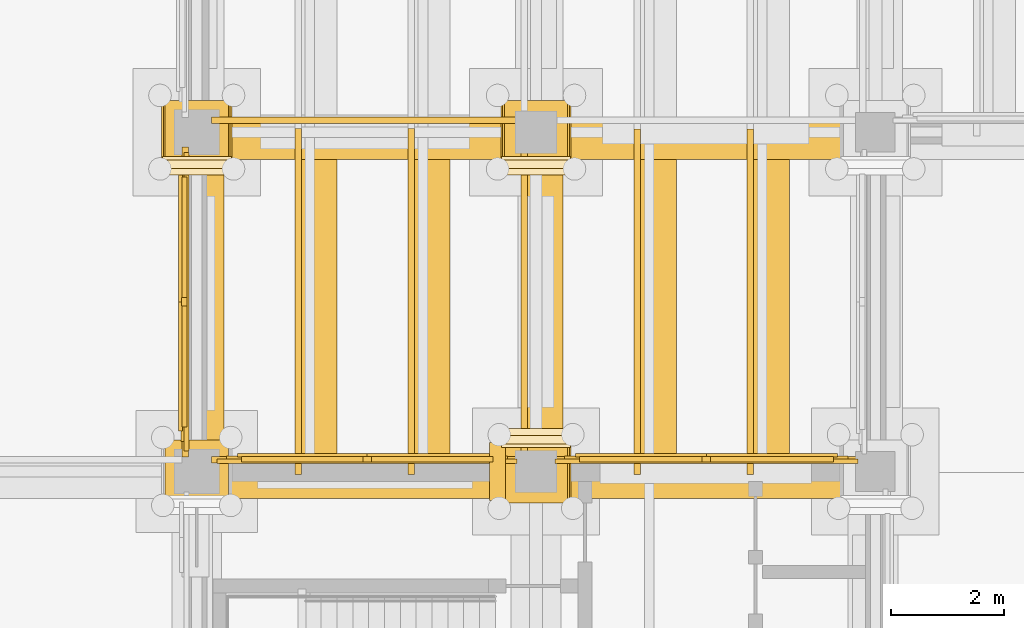
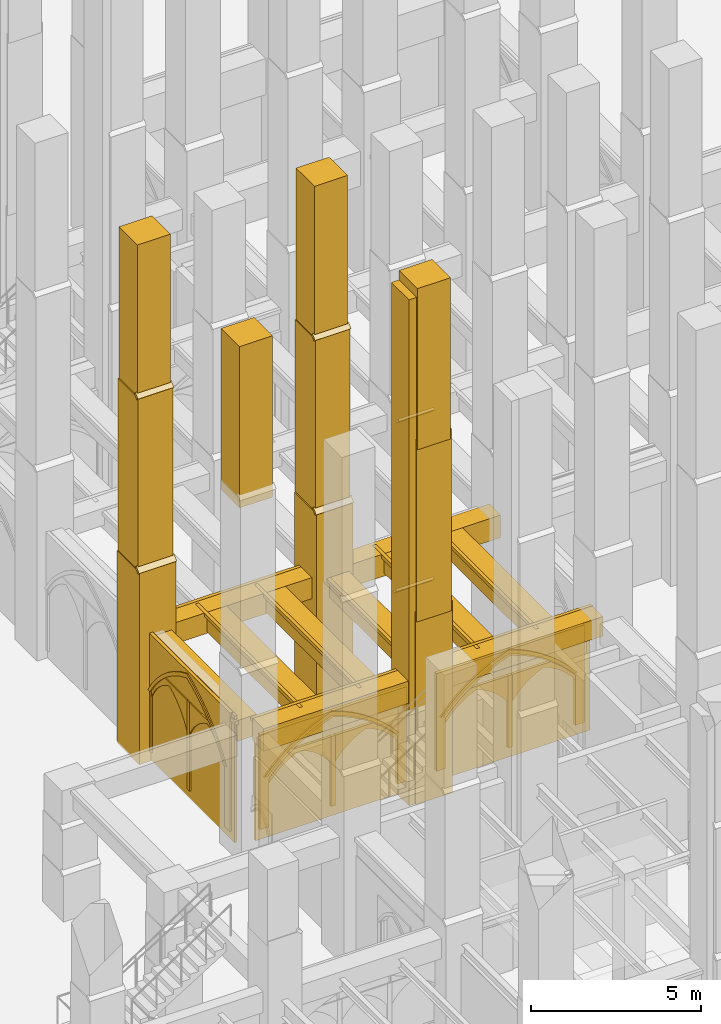
# One storey, part 107 of 135: 54 coverings.
"""IFC4 building model written with IfcOpenShell, lengths in metres."""

from ifc_helpers import new_model, si_unit, direction, frame, origin, origin_2d, place, context, subcontext, project, spatial, polyline, rectangle, outline, extrude, material, type_object, element, save


model = new_model("IFC4")

# Units and contexts
model_context = context("Model", 3, precision=1e-05, world=origin(), true_north=direction((0.0, 1.0)))
body_context = subcontext(model_context, "Body", "Model", "MODEL_VIEW")
ifc_project = project(units=[si_unit("LENGTHUNIT", "METRE"), si_unit("AREAUNIT", "SQUARE_METRE"), si_unit("VOLUMEUNIT", "CUBIC_METRE"), si_unit("PLANEANGLEUNIT", "RADIAN"), si_unit("MASSUNIT", "GRAM", prefix="KILO")], contexts=[model_context])

# Site, building, storey
site_placement = place(None, origin())
site = spatial("IfcSite", under=ifc_project, at=site_placement, CompositionType="ELEMENT")
building_placement = place(site_placement, origin())
building = spatial("IfcBuilding", under=site, at=building_placement, Name="Cumevento Cable Car Station", CompositionType="ELEMENT")
storey_placement = place(building_placement, origin())
storey = spatial("IfcBuildingStorey", under=building, at=storey_placement, Name="L01", CompositionType="ELEMENT", Elevation=0.0)

# Coverings
ifc_material = material(Name="Gnaisse Facoidal Stone Ashlar 85 MPa", Category="masonry")
covering_type = type_object("IfcCoveringType", Name="Gnaisse Ashlar Cladding CV-CL01", PredefinedType="CLADDING", material=ifc_material)
covering_1_placement = place(storey_placement, frame((118.0, 27.02001953125, 12.6240234375), z_axis=(0.0, 0.0, 1.0), x_axis=(1.0, 0.0, 0.0)))
element("IfcCovering", 1, at=covering_1_placement, inside=storey, type_object=covering_type, Name="Stepped Gothic Stone Buttress Tier 3 bt:118.0:27.0", PredefinedType="CLADDING", context=body_context, shape_type="SweptSolid", body=[
    extrude(rectangle(XDim=1.1201171875, YDim=1.080078125, at=origin_2d()), origin(), (0.0, 0.0, 1.0), 5.77587890625),
])
covering_2_placement = place(storey_placement, frame((118.0, 32.909912109375, -0.06005859375), z_axis=(0.0, 0.0, 1.0), x_axis=(1.0, 0.0, 0.0)))
element("IfcCovering", 2, at=covering_2_placement, inside=storey, type_object=covering_type, Name="Stepped Gothic Stone Buttress Tier 1 bt:118.0:33.0", PredefinedType="CLADDING", context=body_context, shape_type="SweptSolid", body=[
    extrude(rectangle(XDim=1.239990234375, YDim=1.300048828125, at=origin_2d()), origin(), (0.0, 0.0, 1.0), 6.885498046875),
])
covering_3_placement = place(storey_placement, frame((117.360107421875, 32.239990234375, 6.8056640625), z_axis=(0.0, -0.711135781079, 0.703054692658), x_axis=(1.0, 0.0, 0.0)))
element("IfcCovering", 3, at=covering_3_placement, inside=storey, type_object=covering_type, Name="Gothic Buttress Sloped Stone Weathering 1 bt:118.0:33.0", PredefinedType="CLADDING", context=body_context, shape_type="SweptSolid", body=[
    extrude(outline(polyline([(0.0, 0.0), (1.27978515625, 0.0), (1.27978515625, 0.24169083397703695), (0.0, 0.24169083397703695), (0.0, 0.0)])), origin(), (0.0, 0.0, -1.0), 0.090087890625),
])
covering_4_placement = place(storey_placement, frame((118.0, 32.969970703125, 6.46337890625), z_axis=(0.0, 0.0, 1.0), x_axis=(1.0, 0.0, 0.0)))
element("IfcCovering", 4, at=covering_4_placement, inside=storey, type_object=covering_type, Name="Stepped Gothic Stone Buttress Tier 2 bt:118.0:33.0", PredefinedType="CLADDING", context=body_context, shape_type="SweptSolid", body=[
    extrude(rectangle(XDim=1.179931640625, YDim=1.179931640625, at=origin_2d()), origin(), (0.0, 0.0, 1.0), 6.523193359375),
])
covering_5_placement = place(storey_placement, frame((117.389892578125, 32.360107421875, 12.96630859375), z_axis=(0.0, -0.714474823669, 0.699661151089), x_axis=(1.0, 0.0, 0.0)))
element("IfcCovering", 5, at=covering_5_placement, inside=storey, type_object=covering_type, Name="Gothic Buttress Sloped Stone Weathering 2 bt:118.0:33.0", PredefinedType="CLADDING", context=body_context, shape_type="SweptSolid", body=[
    extrude(outline(polyline([(0.0, 0.0), (1.22021484375, 0.0), (1.22021484375, 0.21424991728737655), (0.0, 0.21424991728737655), (0.0, 0.0)])), origin(), (0.0, 0.0, -1.0), 0.090087890625),
])
covering_6_placement = place(storey_placement, frame((118.0, 33.02001953125, 12.6240234375), z_axis=(0.0, 0.0, 1.0), x_axis=(1.0, 0.0, 0.0)))
element("IfcCovering", 6, at=covering_6_placement, inside=storey, type_object=covering_type, Name="Stepped Gothic Stone Buttress Tier 3 bt:118.0:33.0", PredefinedType="CLADDING", context=body_context, shape_type="SweptSolid", body=[
    extrude(rectangle(XDim=1.1201171875, YDim=1.080078125, at=origin_2d()), origin(), (0.0, 0.0, 1.0), 5.77587890625),
])
covering_7_placement = place(storey_placement, frame((124.0, 27.090087890625, -0.06005859375), z_axis=(0.0, 0.0, 1.0), x_axis=(-1.0, 0.0, 0.0)))
element("IfcCovering", 7, at=covering_7_placement, inside=storey, type_object=covering_type, Name="Stepped Gothic Stone Buttress Tier 1 bt:124.0:27.0", PredefinedType="CLADDING", context=body_context, shape_type="SweptSolid", body=[
    extrude(rectangle(XDim=1.239990234375, YDim=1.300048828125, at=origin_2d()), origin(), (0.0, 0.0, 1.0), 6.885498046875),
])
covering_8_placement = place(storey_placement, frame((124.639892578125, 27.760009765625, 6.8056640625), z_axis=(0.0, 0.711135781079, 0.703054692658), x_axis=(-1.0, 0.0, 0.0)))
element("IfcCovering", 8, at=covering_8_placement, inside=storey, type_object=covering_type, Name="Gothic Buttress Sloped Stone Weathering 1 bt:124.0:27.0", PredefinedType="CLADDING", context=body_context, shape_type="SweptSolid", body=[
    extrude(outline(polyline([(0.0, 0.0), (1.27978515625, 0.0), (1.27978515625, 0.24169083397703695), (0.0, 0.24169083397703695), (0.0, 0.0)])), origin(), (0.0, 0.0, -1.0), 0.090087890625),
])
covering_9_placement = place(storey_placement, frame((124.0, 27.030029296875, 6.46337890625), z_axis=(0.0, 0.0, 1.0), x_axis=(-1.0, 0.0, 0.0)))
element("IfcCovering", 9, at=covering_9_placement, inside=storey, type_object=covering_type, Name="Stepped Gothic Stone Buttress Tier 2 bt:124.0:27.0", PredefinedType="CLADDING", context=body_context, shape_type="SweptSolid", body=[
    extrude(rectangle(XDim=1.179931640625, YDim=1.179931640625, at=origin_2d()), origin(), (0.0, 0.0, 1.0), 6.523193359375),
])
covering_10_placement = place(storey_placement, frame((124.610107421875, 27.639892578125, 12.96630859375), z_axis=(0.0, 0.714474823669, 0.699661151089), x_axis=(-1.0, 0.0, 0.0)))
element("IfcCovering", 10, at=covering_10_placement, inside=storey, type_object=covering_type, Name="Gothic Buttress Sloped Stone Weathering 2 bt:124.0:27.0", PredefinedType="CLADDING", context=body_context, shape_type="SweptSolid", body=[
    extrude(outline(polyline([(0.0, 0.0), (1.22021484375, 0.0), (1.22021484375, 0.21424991728737655), (0.0, 0.21424991728737655), (0.0, 0.0)])), origin(), (0.0, 0.0, -1.0), 0.090087890625),
])
covering_11_placement = place(storey_placement, frame((124.0, 26.97998046875, 12.6240234375), z_axis=(0.0, 0.0, 1.0), x_axis=(-1.0, 0.0, 0.0)))
element("IfcCovering", 11, at=covering_11_placement, inside=storey, type_object=covering_type, Name="Stepped Gothic Stone Buttress Tier 3 bt:124.0:27.0", PredefinedType="CLADDING", context=body_context, shape_type="SweptSolid", body=[
    extrude(rectangle(XDim=1.1201171875, YDim=1.080078125, at=origin_2d()), origin(), (0.0, 0.0, 1.0), 5.77587890625),
])
covering_12_placement = place(storey_placement, frame((123.320068359375, 27.0, -0.06005859375), z_axis=(0.0, 0.0, 1.0), x_axis=(1.0, 0.0, 0.0)))
element("IfcCovering", 12, at=covering_12_placement, inside=storey, type_object=covering_type, Name="Corner Buttress Stone Return (124.0,27.0)", PredefinedType="CLADDING", context=body_context, shape_type="SweptSolid", body=[
    extrude(rectangle(XDim=0.280029296875, YDim=1.030029296875, at=origin_2d()), origin(), (0.0, 0.0, 1.0), 18.1201171875),
])
covering_13_placement = place(storey_placement, frame((124.0, 32.909912109375, -0.06005859375), z_axis=(0.0, 0.0, 1.0), x_axis=(1.0, 0.0, 0.0)))
element("IfcCovering", 13, at=covering_13_placement, inside=storey, type_object=covering_type, Name="Stepped Gothic Stone Buttress Tier 1 bt:124.0:33.0", PredefinedType="CLADDING", context=body_context, shape_type="SweptSolid", body=[
    extrude(rectangle(XDim=1.239990234375, YDim=1.300048828125, at=origin_2d()), origin(), (0.0, 0.0, 1.0), 6.885498046875),
])
covering_14_placement = place(storey_placement, frame((123.360107421875, 32.239990234375, 6.8056640625), z_axis=(0.0, -0.711135781079, 0.703054692658), x_axis=(1.0, 0.0, 0.0)))
element("IfcCovering", 14, at=covering_14_placement, inside=storey, type_object=covering_type, Name="Gothic Buttress Sloped Stone Weathering 1 bt:124.0:33.0", PredefinedType="CLADDING", context=body_context, shape_type="SweptSolid", body=[
    extrude(outline(polyline([(0.0, 0.0), (1.27978515625, 0.0), (1.27978515625, 0.24169083397703695), (0.0, 0.24169083397703695), (0.0, 0.0)])), origin(), (0.0, 0.0, -1.0), 0.090087890625),
])
covering_15_placement = place(storey_placement, frame((124.0, 32.969970703125, 6.46337890625), z_axis=(0.0, 0.0, 1.0), x_axis=(1.0, 0.0, 0.0)))
element("IfcCovering", 15, at=covering_15_placement, inside=storey, type_object=covering_type, Name="Stepped Gothic Stone Buttress Tier 2 bt:124.0:33.0", PredefinedType="CLADDING", context=body_context, shape_type="SweptSolid", body=[
    extrude(rectangle(XDim=1.179931640625, YDim=1.179931640625, at=origin_2d()), origin(), (0.0, 0.0, 1.0), 6.523193359375),
])
covering_16_placement = place(storey_placement, frame((123.389892578125, 32.360107421875, 12.96630859375), z_axis=(0.0, -0.714474823669, 0.699661151089), x_axis=(1.0, 0.0, 0.0)))
element("IfcCovering", 16, at=covering_16_placement, inside=storey, type_object=covering_type, Name="Gothic Buttress Sloped Stone Weathering 2 bt:124.0:33.0", PredefinedType="CLADDING", context=body_context, shape_type="SweptSolid", body=[
    extrude(outline(polyline([(0.0, 0.0), (1.22021484375, 0.0), (1.22021484375, 0.21424991728737655), (0.0, 0.21424991728737655), (0.0, 0.0)])), origin(), (0.0, 0.0, -1.0), 0.090087890625),
])
covering_17_placement = place(storey_placement, frame((124.0, 33.02001953125, 12.6240234375), z_axis=(0.0, 0.0, 1.0), x_axis=(1.0, 0.0, 0.0)))
element("IfcCovering", 17, at=covering_17_placement, inside=storey, type_object=covering_type, Name="Stepped Gothic Stone Buttress Tier 3 bt:124.0:33.0", PredefinedType="CLADDING", context=body_context, shape_type="SweptSolid", body=[
    extrude(rectangle(XDim=1.1201171875, YDim=1.080078125, at=origin_2d()), origin(), (0.0, 0.0, 1.0), 5.77587890625),
])
covering_18_placement = place(storey_placement, frame((121.012451171875, 26.85009765625, 3.5927734375), z_axis=(0.0, 0.0, 1.0), x_axis=(1.0, 0.0, 0.0)))
element("IfcCovering", 18, at=covering_18_placement, inside=storey, type_object=covering_type, Name="Gothic Stone Spandrel Stringcourse sc:0181", PredefinedType="CLADDING", context=body_context, shape_type="SweptSolid", body=[
    extrude(rectangle(XDim=5.465087890625, YDim=0.659912109375, at=origin_2d()), origin(), (0.0, 0.0, 1.0), 0.797119140625),
])
covering_19_placement = place(storey_placement, frame((121.012451171875, 27.20751953125, 4.260009765625), z_axis=(0.0, 0.0, 1.0), x_axis=(1.0, 0.0, 0.0)))
element("IfcCovering", 19, at=covering_19_placement, inside=storey, type_object=covering_type, Name="Gothic Cornice Dripstone Lip sc:0181", PredefinedType="CLADDING", context=body_context, shape_type="SweptSolid", body=[
    extrude(rectangle(XDim=5.5048828125, YDim=0.114990234375, at=origin_2d()), origin(), (0.0, 0.0, 1.0), 0.1298828125),
])
covering_20_placement = place(storey_placement, frame((127.012451171875, 26.851318359375, 3.69580078125), z_axis=(0.0, 0.0, 1.0), x_axis=(1.0, 0.0, 0.0)))
element("IfcCovering", 20, at=covering_20_placement, inside=storey, type_object=covering_type, Name="Gothic Stone Spandrel Stringcourse sc:0182", PredefinedType="CLADDING", context=body_context, shape_type="SweptSolid", body=[
    extrude(rectangle(XDim=5.514892578125, YDim=0.66259765625, at=origin_2d()), origin(), (0.0, 0.0, 1.0), 0.694091796875),
])
covering_21_placement = place(storey_placement, frame((127.012451171875, 27.2099609375, 4.260009765625), z_axis=(0.0, 0.0, 1.0), x_axis=(1.0, 0.0, 0.0)))
element("IfcCovering", 21, at=covering_21_placement, inside=storey, type_object=covering_type, Name="Gothic Cornice Dripstone Lip sc:0182", PredefinedType="CLADDING", context=body_context, shape_type="SweptSolid", body=[
    extrude(rectangle(XDim=5.554931640625, YDim=0.114990234375, at=origin_2d()), origin(), (0.0, 0.0, 1.0), 0.1298828125),
])
covering_22_placement = place(storey_placement, frame((121.012451171875, 32.85009765625, 3.636962890625), z_axis=(0.0, 0.0, 1.0), x_axis=(1.0, 0.0, 0.0)))
element("IfcCovering", 22, at=covering_22_placement, inside=storey, type_object=covering_type, Name="Gothic Stone Spandrel Stringcourse sc:0185", PredefinedType="CLADDING", context=body_context, shape_type="SweptSolid", body=[
    extrude(rectangle(XDim=5.465087890625, YDim=0.659912109375, at=origin_2d()), origin(), (0.0, 0.0, 1.0), 0.7529296875),
])
covering_23_placement = place(storey_placement, frame((121.012451171875, 33.20751953125, 4.260009765625), z_axis=(0.0, 0.0, 1.0), x_axis=(1.0, 0.0, 0.0)))
element("IfcCovering", 23, at=covering_23_placement, inside=storey, type_object=covering_type, Name="Gothic Cornice Dripstone Lip sc:0185", PredefinedType="CLADDING", context=body_context, shape_type="SweptSolid", body=[
    extrude(rectangle(XDim=5.5048828125, YDim=0.114990234375, at=origin_2d()), origin(), (0.0, 0.0, 1.0), 0.1298828125),
])
covering_24_placement = place(storey_placement, frame((127.012451171875, 32.85009765625, 3.5869140625), z_axis=(0.0, 0.0, 1.0), x_axis=(1.0, 0.0, 0.0)))
element("IfcCovering", 24, at=covering_24_placement, inside=storey, type_object=covering_type, Name="Gothic Stone Spandrel Stringcourse sc:0186", PredefinedType="CLADDING", context=body_context, shape_type="SweptSolid", body=[
    extrude(rectangle(XDim=5.514892578125, YDim=0.659912109375, at=origin_2d()), origin(), (0.0, 0.0, 1.0), 0.802978515625),
])
covering_25_placement = place(storey_placement, frame((118.14990234375, 30.0, 3.64306640625), z_axis=(0.0, 0.0, 1.0), x_axis=(0.0, 1.0, 0.0)))
element("IfcCovering", 25, at=covering_25_placement, inside=storey, type_object=covering_type, Name="Gothic Stone Spandrel Stringcourse sc:0187", PredefinedType="CLADDING", context=body_context, shape_type="SweptSolid", body=[
    extrude(rectangle(XDim=5.43994140625, YDim=0.659912109375, at=origin_2d()), origin(), (0.0, 0.0, 1.0), 0.7470703125),
])
covering_26_placement = place(storey_placement, frame((117.79248046875, 30.0, 4.260009765625), z_axis=(0.0, 0.0, 1.0), x_axis=(0.0, 1.0, 0.0)))
element("IfcCovering", 26, at=covering_26_placement, inside=storey, type_object=covering_type, Name="Gothic Cornice Dripstone Lip sc:0187", PredefinedType="CLADDING", context=body_context, shape_type="SweptSolid", body=[
    extrude(rectangle(XDim=5.47998046875, YDim=0.114990234375, at=origin_2d()), origin(), (0.0, 0.0, 1.0), 0.1298828125),
])
covering_27_placement = place(storey_placement, frame((124.148681640625, 30.0, 3.69580078125), z_axis=(0.0, 0.0, 1.0), x_axis=(0.0, 1.0, 0.0)))
element("IfcCovering", 27, at=covering_27_placement, inside=storey, type_object=covering_type, Name="Gothic Stone Spandrel Stringcourse sc:0188", PredefinedType="CLADDING", context=body_context, shape_type="SweptSolid", body=[
    extrude(rectangle(XDim=5.489990234375, YDim=0.66259765625, at=origin_2d()), origin(), (0.0, 0.0, 1.0), 0.694091796875),
])
covering_28_placement = place(storey_placement, frame((123.7900390625, 30.0, 4.260009765625), z_axis=(0.0, 0.0, 1.0), x_axis=(0.0, 1.0, 0.0)))
element("IfcCovering", 28, at=covering_28_placement, inside=storey, type_object=covering_type, Name="Gothic Cornice Dripstone Lip sc:0188", PredefinedType="CLADDING", context=body_context, shape_type="SweptSolid", body=[
    extrude(rectangle(XDim=5.530029296875, YDim=0.114990234375, at=origin_2d()), origin(), (0.0, 0.0, 1.0), 0.1298828125),
])
covering_29_placement = place(storey_placement, frame((120.14990234375, 30.00244140625, 3.69482421875), z_axis=(0.0, 0.0, 1.0), x_axis=(0.0, 1.0, 0.0)))
element("IfcCovering", 29, at=covering_29_placement, inside=storey, type_object=covering_type, Name="Gothic Stone Spandrel Stringcourse sc:0274", PredefinedType="CLADDING", context=body_context, shape_type="SweptSolid", body=[
    extrude(rectangle(XDim=6.0791015625, YDim=0.659912109375, at=origin_2d()), origin(), (0.0, 0.0, 1.0), 0.695068359375),
])
covering_30_placement = place(storey_placement, frame((119.79248046875, 30.00244140625, 4.260009765625), z_axis=(0.0, 0.0, 1.0), x_axis=(0.0, 1.0, 0.0)))
element("IfcCovering", 30, at=covering_30_placement, inside=storey, type_object=covering_type, Name="Gothic Cornice Dripstone Lip sc:0274", PredefinedType="CLADDING", context=body_context, shape_type="SweptSolid", body=[
    extrude(rectangle(XDim=6.118896484375, YDim=0.114990234375, at=origin_2d()), origin(), (0.0, 0.0, 1.0), 0.1298828125),
])
covering_31_placement = place(storey_placement, frame((122.14990234375, 30.00244140625, 3.69482421875), z_axis=(0.0, 0.0, 1.0), x_axis=(0.0, 1.0, 0.0)))
element("IfcCovering", 31, at=covering_31_placement, inside=storey, type_object=covering_type, Name="Gothic Stone Spandrel Stringcourse sc:0275", PredefinedType="CLADDING", context=body_context, shape_type="SweptSolid", body=[
    extrude(rectangle(XDim=6.0791015625, YDim=0.659912109375, at=origin_2d()), origin(), (0.0, 0.0, 1.0), 0.695068359375),
])
covering_32_placement = place(storey_placement, frame((121.79248046875, 30.00244140625, 4.260009765625), z_axis=(0.0, 0.0, 1.0), x_axis=(0.0, 1.0, 0.0)))
element("IfcCovering", 32, at=covering_32_placement, inside=storey, type_object=covering_type, Name="Gothic Cornice Dripstone Lip sc:0275", PredefinedType="CLADDING", context=body_context, shape_type="SweptSolid", body=[
    extrude(rectangle(XDim=6.118896484375, YDim=0.114990234375, at=origin_2d()), origin(), (0.0, 0.0, 1.0), 0.1298828125),
])
covering_33_placement = place(storey_placement, frame((126.14990234375, 30.003173828125, 3.69482421875), z_axis=(0.0, 0.0, 1.0), x_axis=(0.0, 1.0, 0.0)))
element("IfcCovering", 33, at=covering_33_placement, inside=storey, type_object=covering_type, Name="Gothic Stone Spandrel Stringcourse sc:0276", PredefinedType="CLADDING", context=body_context, shape_type="SweptSolid", body=[
    extrude(rectangle(XDim=6.0654296875, YDim=0.659912109375, at=origin_2d()), origin(), (0.0, 0.0, 1.0), 0.695068359375),
])
covering_34_placement = place(storey_placement, frame((125.79248046875, 30.003173828125, 4.260009765625), z_axis=(0.0, 0.0, 1.0), x_axis=(0.0, 1.0, 0.0)))
element("IfcCovering", 34, at=covering_34_placement, inside=storey, type_object=covering_type, Name="Gothic Cornice Dripstone Lip sc:0276", PredefinedType="CLADDING", context=body_context, shape_type="SweptSolid", body=[
    extrude(rectangle(XDim=6.10546875, YDim=0.114990234375, at=origin_2d()), origin(), (0.0, 0.0, 1.0), 0.1298828125),
])
covering_35_placement = place(storey_placement, frame((128.14990234375, 30.003173828125, 3.69482421875), z_axis=(0.0, 0.0, 1.0), x_axis=(0.0, 1.0, 0.0)))
element("IfcCovering", 35, at=covering_35_placement, inside=storey, type_object=covering_type, Name="Gothic Stone Spandrel Stringcourse sc:0277", PredefinedType="CLADDING", context=body_context, shape_type="SweptSolid", body=[
    extrude(rectangle(XDim=6.0654296875, YDim=0.659912109375, at=origin_2d()), origin(), (0.0, 0.0, 1.0), 0.695068359375),
])
covering_36_placement = place(storey_placement, frame((127.79248046875, 30.003173828125, 4.260009765625), z_axis=(0.0, 0.0, 1.0), x_axis=(0.0, 1.0, 0.0)))
element("IfcCovering", 36, at=covering_36_placement, inside=storey, type_object=covering_type, Name="Gothic Cornice Dripstone Lip sc:0277", PredefinedType="CLADDING", context=body_context, shape_type="SweptSolid", body=[
    extrude(rectangle(XDim=6.10546875, YDim=0.114990234375, at=origin_2d()), origin(), (0.0, 0.0, 1.0), 0.1298828125),
])
covering_37_placement = place(storey_placement, frame((118.0, 27.39990234375, 0.0), z_axis=(0.0, 0.0, 1.0), x_axis=(0.0, 1.0, 0.0)))
element("IfcCovering", 37, at=covering_37_placement, inside=storey, type_object=covering_type, Name="Exterior Gnaisse Stone Wall Ashlar #73", PredefinedType="CLADDING", context=body_context, shape_type="SweptSolid", body=[
    extrude(outline(polyline([(-0.0400390625, -0.02001953125), (5.239990234375, -0.02001953125), (5.239990234375, 4.52001953125), (-0.0400390625, 4.52001953125), (-0.0400390625, -0.02001953125)])), frame((0.0, 0.22509765625, 0.0), z_axis=(0.0, -1.0, 0.0), x_axis=(1.0, 0.0, 0.0)), (0.0, 0.0, 1.0), 0.0849609375),
])
placement_1 = place(storey_placement, frame((118.0, 27.580078125, 0.300048828125), z_axis=(0.0, 0.0, 1.0), x_axis=(0.0, 1.0, 0.0)))
element("IfcCovering", 38, at=placement_1, inside=storey, type_object=covering_type, Name="Gothic Ogival Pointed-Arch Stone Spandrel blind_ogival:0073", PredefinedType="CLADDING", context=body_context, shape_type="SweptSolid", body=[
    extrude(outline(polyline([(-0.050048828125, 0.0), (-0.050048828125, 4.239990234375), (4.889892578125, 4.239990234375), (4.889892578125, 0.0), (4.580078125, 0.0), (4.580078125, 2.219970703125), (4.3486328125, 2.556640625), (4.087646484375, 2.87060546875), (3.799072265625, 3.15966796875), (3.4853515625, 3.421142578125), (3.14892578125, 3.653076171875), (2.79296875, 3.85302734375), (2.419921875, 4.02001953125), (2.047119140625, 3.85302734375), (1.691162109375, 3.653076171875), (1.354736328125, 3.421142578125), (1.041015625, 3.15966796875), (0.75244140625, 2.87060546875), (0.491455078125, 2.556640625), (0.260009765625, 2.219970703125), (0.260009765625, 0.0), (-0.050048828125, 0.0)])), frame((0.0, 0.280029296875, 0.0), z_axis=(0.0, -1.0, 0.0), x_axis=(1.0, 0.0, 0.0)), (0.0, 0.0, 1.0), 0.110107421875),
])
covering_39_placement = place(storey_placement, frame((118.0, 27.580078125, 2.52001953125), z_axis=(0.0, 0.0, 1.0), x_axis=(0.0, 1.0, 0.0)))
element("IfcCovering", 39, at=covering_39_placement, inside=storey, type_object=covering_type, Name="Gothic Pointed Archivolt Hood Moulding blind_ogival:0073", PredefinedType="CLADDING", context=body_context, shape_type="SweptSolid", body=[
    extrude(outline(polyline([(0.260009765625, 0.0), (0.491455078125, 0.336669921875), (0.75244140625, 0.650634765625), (1.041015625, 0.939697265625), (1.354736328125, 1.201171875), (1.691162109375, 1.43310546875), (2.047119140625, 1.633056640625), (2.419921875, 1.800048828125), (2.79296875, 1.633056640625), (3.14892578125, 1.43310546875), (3.4853515625, 1.201171875), (3.799072265625, 0.939697265625), (4.087646484375, 0.650634765625), (4.3486328125, 0.336669921875), (4.580078125, 0.0), (4.700927734375, 0.0), (4.46044921875, 0.364013671875), (4.18701171875, 0.7041015625), (3.88330078125, 1.017333984375), (3.5517578125, 1.30078125), (3.1953125, 1.552490234375), (2.81689453125, 1.77001953125), (2.419921875, 1.951171875), (2.023193359375, 1.77001953125), (1.644775390625, 1.552490234375), (1.288330078125, 1.30078125), (0.956787109375, 1.017333984375), (0.653076171875, 0.7041015625), (0.379638671875, 0.364013671875), (0.138916015625, 0.0), (0.260009765625, 0.0)])), frame((0.0, 0.322021484375, 0.0), z_axis=(0.0, -1.0, 0.0), x_axis=(1.0, 0.0, 0.0)), (0.0, 0.0, 1.0), 0.06689453125),
])
element("IfcCovering", 40, at=placement_1, inside=storey, type_object=covering_type, Name="Gothic Bifora Stone Colonnette blind_ogival:0073 #1", PredefinedType="CLADDING", context=body_context, shape_type="SweptSolid", body=[
    extrude(outline(polyline([(2.344970703125, -0.02001953125), (2.4951171875, -0.02001953125), (2.4951171875, 3.156005859375), (2.344970703125, 3.156005859375), (2.344970703125, -0.02001953125)])), frame((0.0, 0.26806640625, 0.0), z_axis=(0.0, -1.0, 0.0), x_axis=(1.0, 0.0, 0.0)), (0.0, 0.0, 1.0), 0.094970703125),
])
for number, where, z_axis, x_axis, name in (
    (41, (118.0, 27.81005859375, 2.340087890625), (0.0, 0.0, 1.0), (0.0, 1.0, 0.0), "Gothic Ogival Pointed-Arch Stone Spandrel blind_ogival:0073:sub:0"),
    (42, (118.0, 30.044921875, 2.340087890625), (0.0, 0.0, 1.0), (0.0, 1.0, 0.0), "Gothic Ogival Pointed-Arch Stone Spandrel blind_ogival:0073:sub:1"),
):
    element("IfcCovering", number, at=place(storey_placement, frame(where, z_axis=z_axis, x_axis=x_axis)), inside=storey, type_object=covering_type, Name=name, PredefinedType="CLADDING", context=body_context, shape_type="SweptSolid", body=[
        extrude(outline(polyline([(-0.02001953125, 0.0), (-0.02001953125, 1.115966796875), (2.1650390625, 1.115966796875), (2.1650390625, 0.0), (2.10498046875, 0.0), (1.986083984375, 0.213134765625), (1.843017578125, 0.41064453125), (1.677490234375, 0.590087890625), (1.492431640625, 0.748779296875), (1.289794921875, 0.884765625), (1.072509765625, 0.99609375), (0.855224609375, 0.884765625), (0.652587890625, 0.748779296875), (0.467529296875, 0.590087890625), (0.302001953125, 0.41064453125), (0.158935546875, 0.213134765625), (0.0400390625, 0.0), (-0.02001953125, 0.0)])), frame((0.0, 0.263916015625, 0.0), z_axis=(0.0, -1.0, 0.0), x_axis=(1.0, 0.0, 0.0)), (0.0, 0.0, 1.0), 0.090087890625),
    ])
covering_41_placement = place(storey_placement, frame((118.39990234375, 27.0, 0.0), z_axis=(0.0, 0.0, 1.0), x_axis=(1.0, 0.0, 0.0)))
element("IfcCovering", 43, at=covering_41_placement, inside=storey, type_object=covering_type, Name="Exterior Gnaisse Stone Wall Ashlar #163", PredefinedType="CLADDING", context=body_context, shape_type="SweptSolid", body=[
    extrude(outline(polyline([(-0.0400390625, -0.02001953125), (5.264892578125, -0.02001953125), (5.264892578125, 3.673095703125), (-0.0400390625, 3.673095703125), (-0.0400390625, -0.02001953125)])), frame((0.0, 0.222412109375, 0.0), z_axis=(0.0, -1.0, 0.0), x_axis=(1.0, 0.0, 0.0)), (0.0, 0.0, 1.0), 0.0849609375),
])
placement_2 = place(storey_placement, frame((118.580078125, 27.0, 0.300048828125), z_axis=(0.0, 0.0, 1.0), x_axis=(1.0, 0.0, 0.0)))
element("IfcCovering", 44, at=placement_2, inside=storey, type_object=covering_type, Name="Gothic Ogival Pointed-Arch Stone Spandrel blind_ogival:0163", PredefinedType="CLADDING", context=body_context, shape_type="SweptSolid", body=[
    extrude(outline(polyline([(-0.050048828125, 0.0), (-0.050048828125, 3.39306640625), (4.9150390625, 3.39306640625), (4.9150390625, 0.0), (4.60498046875, 0.0), (4.60498046875, 1.74560546875), (4.345947265625, 2.017822265625), (4.067138671875, 2.26953125), (3.769775390625, 2.49951171875), (3.455810546875, 2.705810546875), (3.126953125, 2.88720703125), (2.78515625, 3.043701171875), (2.4326171875, 3.1728515625), (2.079833984375, 3.043701171875), (1.738037109375, 2.88720703125), (1.4091796875, 2.705810546875), (1.09521484375, 2.49951171875), (0.7978515625, 2.26953125), (0.51904296875, 2.017822265625), (0.260009765625, 1.74560546875), (0.260009765625, 0.0), (-0.050048828125, 0.0)])), frame((0.0, 0.277587890625, 0.0), z_axis=(0.0, -1.0, 0.0), x_axis=(1.0, 0.0, 0.0)), (0.0, 0.0, 1.0), 0.110107421875),
])
covering_43_placement = place(storey_placement, frame((118.580078125, 27.0, 2.045654296875), z_axis=(0.0, 0.0, 1.0), x_axis=(1.0, 0.0, 0.0)))
element("IfcCovering", 45, at=covering_43_placement, inside=storey, type_object=covering_type, Name="Gothic Pointed Archivolt Hood Moulding blind_ogival:0163", PredefinedType="CLADDING", context=body_context, shape_type="SweptSolid", body=[
    extrude(outline(polyline([(0.260009765625, 0.0), (0.51904296875, 0.272216796875), (0.7978515625, 0.52392578125), (1.09521484375, 0.753662109375), (1.4091796875, 0.9599609375), (1.738037109375, 1.1416015625), (2.079833984375, 1.2978515625), (2.4326171875, 1.42724609375), (2.78515625, 1.2978515625), (3.126953125, 1.1416015625), (3.455810546875, 0.9599609375), (3.769775390625, 0.753662109375), (4.067138671875, 0.52392578125), (4.345947265625, 0.272216796875), (4.60498046875, 0.0), (4.72607421875, 0.0), (4.457275390625, 0.300048828125), (4.165771484375, 0.577880859375), (3.85302734375, 0.831787109375), (3.521240234375, 1.060302734375), (3.17236328125, 1.261474609375), (2.808837890625, 1.434814453125), (2.4326171875, 1.57861328125), (2.05615234375, 1.434814453125), (1.692626953125, 1.261474609375), (1.34375, 1.060302734375), (1.011962890625, 0.831787109375), (0.69921875, 0.577880859375), (0.40771484375, 0.300048828125), (0.138916015625, 0.0), (0.260009765625, 0.0)])), frame((0.0, 0.319580078125, 0.0), z_axis=(0.0, -1.0, 0.0), x_axis=(1.0, 0.0, 0.0)), (0.0, 0.0, 1.0), 0.06689453125),
])
element("IfcCovering", 46, at=placement_2, inside=storey, type_object=covering_type, Name="Gothic Bifora Stone Colonnette blind_ogival:0163 #1", PredefinedType="CLADDING", context=body_context, shape_type="SweptSolid", body=[
    extrude(outline(polyline([(2.357421875, -0.02001953125), (2.507568359375, -0.02001953125), (2.507568359375, 2.48779296875), (2.357421875, 2.48779296875), (2.357421875, -0.02001953125)])), frame((0.0, 0.265380859375, 0.0), z_axis=(0.0, -1.0, 0.0), x_axis=(1.0, 0.0, 0.0)), (0.0, 0.0, 1.0), 0.094970703125),
])
for number, where, z_axis, x_axis, name in (
    (47, (118.81005859375, 27.0, 1.86572265625), (0.0, 0.0, 1.0), (1.0, 0.0, 0.0), "Gothic Ogival Pointed-Arch Stone Spandrel blind_ogival:0163:sub:0"),
    (48, (121.0576171875, 27.0, 1.86572265625), (0.0, 0.0, 1.0), (1.0, 0.0, 0.0), "Gothic Ogival Pointed-Arch Stone Spandrel blind_ogival:0163:sub:1"),
):
    element("IfcCovering", number, at=place(storey_placement, frame(where, z_axis=z_axis, x_axis=x_axis)), inside=storey, type_object=covering_type, Name=name, PredefinedType="CLADDING", context=body_context, shape_type="SweptSolid", body=[
        extrude(outline(polyline([(-0.02001953125, 0.0), (-0.02001953125, 0.922119140625), (2.177490234375, 0.922119140625), (2.177490234375, 0.0), (2.117431640625, 0.0), (1.981201171875, 0.17529296875), (1.827880859375, 0.3359375), (1.6591796875, 0.480224609375), (1.476806640625, 0.60693359375), (1.28271484375, 0.714599609375), (1.078857421875, 0.80224609375), (0.874755859375, 0.714599609375), (0.6806640625, 0.60693359375), (0.498291015625, 0.480224609375), (0.32958984375, 0.3359375), (0.17626953125, 0.17529296875), (0.0400390625, 0.0), (-0.02001953125, 0.0)])), frame((0.0, 0.261474609375, 0.0), z_axis=(0.0, -1.0, 0.0), x_axis=(1.0, 0.0, 0.0)), (0.0, 0.0, 1.0), 0.090087890625),
    ])
covering_45_placement = place(storey_placement, frame((124.375, 27.0, 0.0), z_axis=(0.0, 0.0, 1.0), x_axis=(1.0, 0.0, 0.0)))
element("IfcCovering", 49, at=covering_45_placement, inside=storey, type_object=covering_type, Name="Exterior Gnaisse Stone Wall Ashlar #164", PredefinedType="CLADDING", context=body_context, shape_type="SweptSolid", body=[
    extrude(outline(polyline([(-0.0400390625, -0.02001953125), (5.31494140625, -0.02001953125), (5.31494140625, 3.77587890625), (-0.0400390625, 3.77587890625), (-0.0400390625, -0.02001953125)])), frame((0.0, 0.222412109375, 0.0), z_axis=(0.0, -1.0, 0.0), x_axis=(1.0, 0.0, 0.0)), (0.0, 0.0, 1.0), 0.0849609375),
])
placement_3 = place(storey_placement, frame((124.554931640625, 27.0, 0.300048828125), z_axis=(0.0, 0.0, 1.0), x_axis=(1.0, 0.0, 0.0)))
element("IfcCovering", 50, at=placement_3, inside=storey, type_object=covering_type, Name="Gothic Ogival Pointed-Arch Stone Spandrel blind_ogival:0164", PredefinedType="CLADDING", context=body_context, shape_type="SweptSolid", body=[
    extrude(outline(polyline([(-0.050048828125, 0.0), (-0.050048828125, 3.49609375), (4.965087890625, 3.49609375), (4.965087890625, 0.0), (4.655029296875, 0.0), (4.655029296875, 1.803466796875), (4.39501953125, 2.083984375), (4.114013671875, 2.343505859375), (3.813720703125, 2.580322265625), (3.495849609375, 2.793212890625), (3.16259765625, 2.98095703125), (2.81591796875, 3.14208984375), (2.45751953125, 3.276123046875), (2.09912109375, 3.14208984375), (1.75244140625, 2.98095703125), (1.419189453125, 2.793212890625), (1.101318359375, 2.580322265625), (0.801025390625, 2.343505859375), (0.52001953125, 2.083984375), (0.260009765625, 1.803466796875), (0.260009765625, 0.0), (-0.050048828125, 0.0)])), frame((0.0, 0.277587890625, 0.0), z_axis=(0.0, -1.0, 0.0), x_axis=(1.0, 0.0, 0.0)), (0.0, 0.0, 1.0), 0.110107421875),
])
covering_47_placement = place(storey_placement, frame((124.554931640625, 27.0, 2.103515625), z_axis=(0.0, 0.0, 1.0), x_axis=(1.0, 0.0, 0.0)))
element("IfcCovering", 51, at=covering_47_placement, inside=storey, type_object=covering_type, Name="Gothic Pointed Archivolt Hood Moulding blind_ogival:0164", PredefinedType="CLADDING", context=body_context, shape_type="SweptSolid", body=[
    extrude(outline(polyline([(0.260009765625, 0.0), (0.52001953125, 0.280517578125), (0.801025390625, 0.5400390625), (1.101318359375, 0.77685546875), (1.419189453125, 0.98974609375), (1.75244140625, 1.177490234375), (2.09912109375, 1.338623046875), (2.45751953125, 1.47265625), (2.81591796875, 1.338623046875), (3.16259765625, 1.177490234375), (3.495849609375, 0.98974609375), (3.813720703125, 0.77685546875), (4.114013671875, 0.5400390625), (4.39501953125, 0.280517578125), (4.655029296875, 0.0), (4.77587890625, 0.0), (4.50634765625, 0.308349609375), (4.212646484375, 0.593994140625), (3.89697265625, 0.85498046875), (3.5615234375, 1.090087890625), (3.208251953125, 1.29736328125), (2.83935546875, 1.4755859375), (2.45751953125, 1.623779296875), (2.07568359375, 1.4755859375), (1.706787109375, 1.29736328125), (1.353515625, 1.090087890625), (1.01806640625, 0.85498046875), (0.702392578125, 0.593994140625), (0.40869140625, 0.308349609375), (0.138916015625, 0.0), (0.260009765625, 0.0)])), frame((0.0, 0.319580078125, 0.0), z_axis=(0.0, -1.0, 0.0), x_axis=(1.0, 0.0, 0.0)), (0.0, 0.0, 1.0), 0.06689453125),
])
element("IfcCovering", 52, at=placement_3, inside=storey, type_object=covering_type, Name="Gothic Bifora Stone Colonnette blind_ogival:0164 #1", PredefinedType="CLADDING", context=body_context, shape_type="SweptSolid", body=[
    extrude(outline(polyline([(2.382568359375, -0.02001953125), (2.532470703125, -0.02001953125), (2.532470703125, 2.569091796875), (2.382568359375, 2.569091796875), (2.382568359375, -0.02001953125)])), frame((0.0, 0.265380859375, 0.0), z_axis=(0.0, -1.0, 0.0), x_axis=(1.0, 0.0, 0.0)), (0.0, 0.0, 1.0), 0.094970703125),
])
for number, where, z_axis, x_axis, name in (
    (53, (124.784912109375, 27.0, 1.92333984375), (0.0, 0.0, 1.0), (1.0, 0.0, 0.0), "Gothic Ogival Pointed-Arch Stone Spandrel blind_ogival:0164:sub:0"),
    (54, (127.0576171875, 27.0, 1.92333984375), (0.0, 0.0, 1.0), (1.0, 0.0, 0.0), "Gothic Ogival Pointed-Arch Stone Spandrel blind_ogival:0164:sub:1"),
):
    element("IfcCovering", number, at=place(storey_placement, frame(where, z_axis=z_axis, x_axis=x_axis)), inside=storey, type_object=covering_type, Name=name, PredefinedType="CLADDING", context=body_context, shape_type="SweptSolid", body=[
        extrude(outline(polyline([(-0.02001953125, 0.0), (-0.02001953125, 0.94580078125), (2.202392578125, 0.94580078125), (2.202392578125, 0.0), (2.142578125, 0.0), (2.005859375, 0.18017578125), (1.851318359375, 0.345458984375), (1.6806640625, 0.494140625), (1.495849609375, 0.62451171875), (1.298828125, 0.735595703125), (1.09130859375, 0.82568359375), (0.8837890625, 0.735595703125), (0.686767578125, 0.62451171875), (0.501953125, 0.494140625), (0.331298828125, 0.345458984375), (0.1767578125, 0.18017578125), (0.0400390625, 0.0), (-0.02001953125, 0.0)])), frame((0.0, 0.261474609375, 0.0), z_axis=(0.0, -1.0, 0.0), x_axis=(1.0, 0.0, 0.0)), (0.0, 0.0, 1.0), 0.090087890625),
    ])

save(model, "model.ifc")
